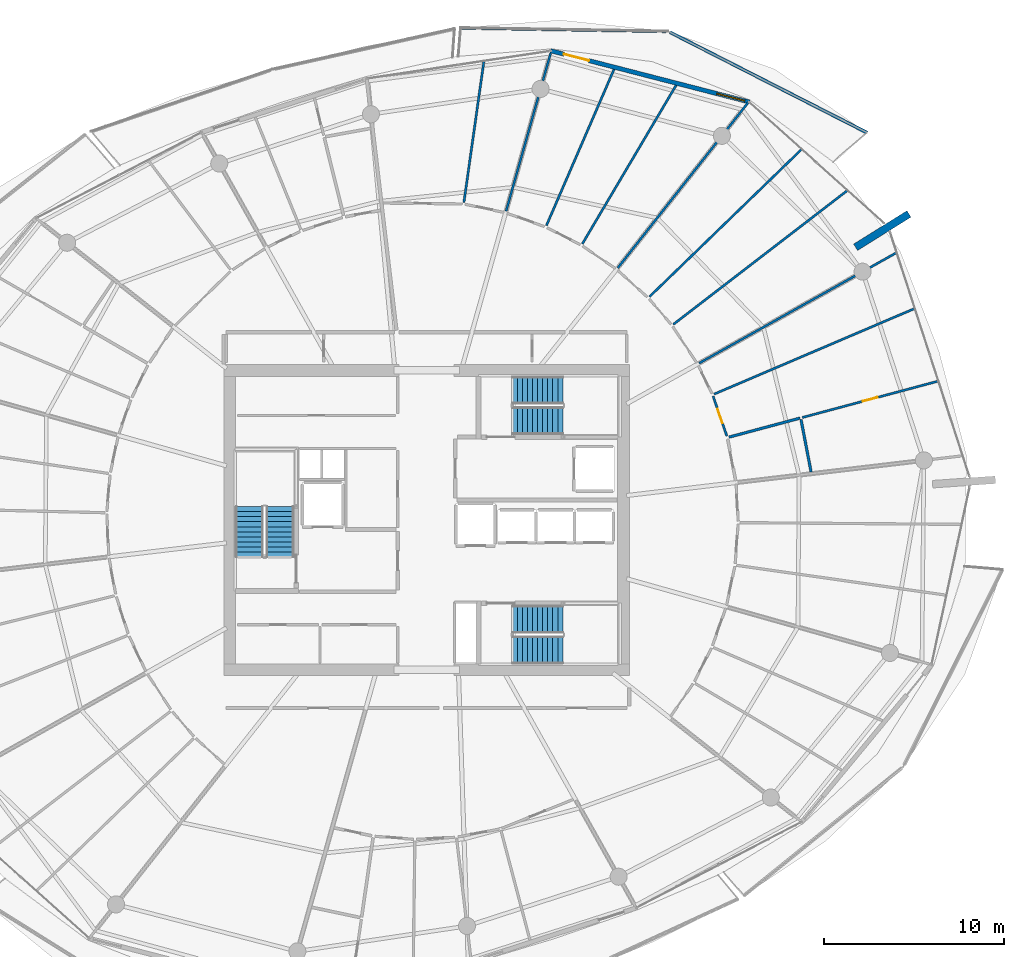
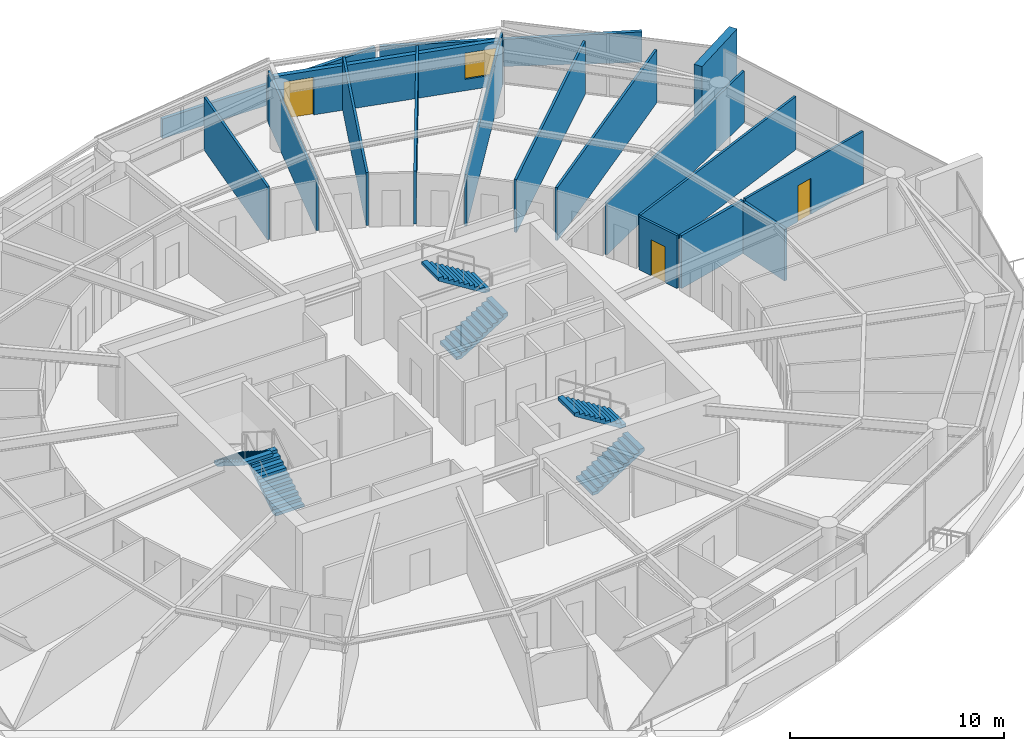
# One storey, part 23 of 30: 17 walls, 6 stair flights, 3 doors, 1 window, 4 openings, 3 elements without a shape of their own.
"""IFC4 building model written with IfcOpenShell, lengths in metres."""

from ifc_helpers import new_model, si_unit, direction, frame, frame_2d, origin, place, context, subcontext, project, spatial, polyline, rectangle, outline, extrude, material, layer, layer_set, type_object, element, fill, aggregate, save


model = new_model("IFC4")

# Units and contexts
model_context = context("Model", 3, precision=1e-05, world=origin(), true_north=direction((0.0, 1.0)))
body_context = subcontext(model_context, "Body", "Model", "MODEL_VIEW")
ifc_project = project(units=[si_unit("LENGTHUNIT", "METRE"), si_unit("AREAUNIT", "SQUARE_METRE"), si_unit("VOLUMEUNIT", "CUBIC_METRE"), si_unit("PLANEANGLEUNIT", "RADIAN"), si_unit("MASSUNIT", "GRAM", prefix="KILO")], contexts=[model_context])

# Site, building, storey
site_placement = place(None, origin())
site = spatial("IfcSite", under=ifc_project, at=site_placement, CompositionType="ELEMENT")
building_placement = place(site_placement, origin())
building = spatial("IfcBuilding", under=site, at=building_placement, Name="Kazma Halo Residences", CompositionType="ELEMENT")
storey_placement = place(building_placement, frame((0.0, 0.0, 267.5)))
storey = spatial("IfcBuildingStorey", under=building, at=storey_placement, Name="L67", CompositionType="ELEMENT", Elevation=267.5)

# Walls
ifc_material_1 = material(Name="White Concrete C50/60 Balustrade", Category="concrete")
ifc_layer_1 = layer(ifc_material_1, 0.179931640625)
ifc_layer_set_1 = layer_set([ifc_layer_1], Name="White Concrete C50/60 Balustrade")
wall_type_1 = type_object("IfcWallType", Name="WL-BAL-WAVE-180", PredefinedType="PARAPET", material=ifc_layer_set_1)
wall_1_placement = place(storey_placement, frame((72.91748046875, 63.546142578125, 0.0), z_axis=(0.0, 0.0, 1.0), x_axis=(-0.890886303028, 0.454226369861, 0.0)))
element("IfcWall", 1, at=wall_1_placement, inside=storey, type_object=wall_type_1, Name="L67 white wave balustrade wall NE.1", PredefinedType="PARAPET", context=body_context, shape_type="SweptSolid", body=[
    extrude(outline(polyline([(0.0, 0.0), (12.2998046875, 0.0), (12.2998046875, 1.347900390625), (6.14990234375, 1.56201171875), (0.0, 1.7470703125), (0.0, 0.0)])), frame((0.0, 0.08984375, 0.0), z_axis=(0.0, -1.0, 0.0), x_axis=(1.0, 0.0, 0.0)), (0.0, 0.0, 1.0), 0.179931640625),
])
wall_2_placement = place(storey_placement, frame((61.732666015625, 69.189453125, 0.0), z_axis=(0.0, 0.0, 1.0), x_axis=(-0.999862171908, 0.016602324761, 0.0)))
element("IfcWall", 2, at=wall_2_placement, inside=storey, type_object=wall_type_1, Name="L67 white wave balustrade wall NE.2", PredefinedType="PARAPET", context=body_context, shape_type="SweptSolid", body=[
    extrude(outline(polyline([(0.0, 0.0), (11.4111328125, 0.0), (11.4111328125, 1.1201171875), (5.70556640625, 1.181884765625), (0.0, 1.347900390625), (0.0, 0.0)])), frame((0.0, 0.08984375, 0.0), z_axis=(0.0, -1.0, 0.0), x_axis=(1.0, 0.0, 0.0)), (0.0, 0.0, 1.0), 0.179931640625),
])
ifc_material_2 = material(Name="Pale Concrete C60/75", Category="concrete")
ifc_layer_2 = layer(ifc_material_2, 0.419921875)
ifc_layer_set_2 = layer_set([ifc_layer_2], Name="Pale Concrete C60/75")
wall_type_2 = type_object("IfcWallType", Name="WL-BLADE-420", PredefinedType="SOLIDWALL", material=ifc_layer_set_2)
wall_3_placement = place(storey_placement, frame((72.281494140625, 57.172607421875, 0.0), z_axis=(0.0, 0.0, 1.0), x_axis=(0.848033572426, 0.529942506352, 0.0)))
element("IfcWall", 3, at=wall_3_placement, inside=storey, type_object=wall_type_2, Name="L67 pale concrete structural blade fin wall BW-01", PredefinedType="SOLIDWALL", context=body_context, shape_type="SweptSolid", body=[
    extrude(rectangle(XDim=3.5, YDim=0.419921875, at=frame_2d((1.75, 0.0))), origin(), (0.0, 0.0, 1.0), 3.85009765625),
])

# Wall, openings, door, window
ifc_material_3 = material(Name="Insulated Pale-Metal Composite Wall")
ifc_layer_3 = layer(ifc_material_3, 0.239990234375)
ifc_layer_set_3 = layer_set([ifc_layer_3], Name="Insulated Pale-Metal Composite Wall")
wall_type_3 = type_object("IfcWallType", Name="WL-EXT-HOST-240", PredefinedType="SOLIDWALL", material=ifc_layer_set_3)
wall_4_placement = place(storey_placement, frame((66.386474609375, 65.2490234375, 0.0), z_axis=(0.0, 0.0, 1.0), x_axis=(-0.968343758421, 0.249620442927, 0.0)))
wall_4 = element("IfcWall", 4, at=wall_4_placement, inside=storey, type_object=wall_type_3, Name="L67 exterior terrace-access wall B02", PredefinedType="SOLIDWALL", context=body_context, shape_type="SweptSolid", body=[
    extrude(rectangle(XDim=11.438232421875, YDim=0.239990234375, at=frame_2d((5.71923828125, 0.0))), origin(), (0.0, 0.0, 1.0), 2.5400390625),
])
opening_1_placement = place(wall_4_placement, frame((9.21826171875, 0.0, 0.0)))
opening_1 = element("IfcOpeningElement", 5, at=opening_1_placement, cuts=wall_4, Name="Opening DTR-1600", PredefinedType="OPENING", context=body_context, shape_type="SweptSolid", body=[
    extrude(rectangle(XDim=1.449951171875, YDim=2.14990234375, at=frame_2d((0.72509765625, 1.074951171875))), frame((0.0, 0.1298828125, 0.0), z_axis=(0.0, -1.0, 0.0), x_axis=(1.0, 0.0, 0.0)), (0.0, 0.0, 1.0), 0.260009765625),
])
opening_2_placement = place(wall_4_placement, frame((0.280029296875, 0.0, 0.64990234375)))
opening_2 = element("IfcOpeningElement", 6, at=opening_2_placement, cuts=wall_4, Name="Opening W-1800", PredefinedType="OPENING", context=body_context, shape_type="SweptSolid", body=[
    extrude(rectangle(XDim=1.60009765625, YDim=1.5, at=frame_2d((0.800048828125, 0.75))), frame((0.0, 0.1298828125, 0.0), z_axis=(0.0, -1.0, 0.0), x_axis=(1.0, 0.0, 0.0)), (0.0, 0.0, 1.0), 0.260009765625),
])
ifc_material_4 = material(Name="Aluminium AW-6063 T6 Double-Glazed Terrace Door", Category="aluminium")
door_type_1 = type_object("IfcDoorType", Name="DR-EXT-TERR-1600", OperationType="NOTDEFINED", PredefinedType="DOOR", material=ifc_material_4)
door_1_placement = place(opening_1_placement, origin())
door_1 = element("IfcDoor", 7, at=door_1_placement, inside=storey, type_object=door_type_1, Name="L67 B02 balcony terrace door", OperationType="DOUBLE_DOOR_SLIDING", OverallHeight=2.14990234375, OverallWidth=1.449951171875, PredefinedType="DOOR", context=body_context, shape_type="SweptSolid", body=[
    extrude(rectangle(XDim=1.449951171875, YDim=2.14990234375, at=frame_2d((0.72509765625, 1.074951171875))), frame((0.0, 0.02490234375, 0.0), z_axis=(0.0, -1.0, 0.0), x_axis=(1.0, 0.0, 0.0)), (0.0, 0.0, 1.0), 0.050048828125),
])
fill(opening_1, door_1)
ifc_material_5 = material(Name="Clear Triple-Silver Low-E Glass in Aluminium AW-6063 T6 Frame", Category="aluminium")
window_type = type_object("IfcWindowType", Name="WIN-RES-1800", PartitioningType="DOUBLE_PANEL_VERTICAL", PredefinedType="WINDOW", material=ifc_material_5)
window_placement = place(opening_2_placement, origin())
window = element("IfcWindow", 8, at=window_placement, inside=storey, type_object=window_type, Name="L67 B02 apartment window", OverallHeight=1.5, OverallWidth=1.60009765625, PartitioningType="SINGLE_PANEL", PredefinedType="WINDOW", context=body_context, shape_type="SweptSolid", body=[
    extrude(rectangle(XDim=1.60009765625, YDim=1.5, at=frame_2d((0.800048828125, 0.75))), frame((0.0, 0.030029296875, 0.0), z_axis=(0.0, -1.0, 0.0), x_axis=(1.0, 0.0, 0.0)), (0.0, 0.0, 1.0), 0.06005859375),
])
fill(opening_2, window)

# Wall, opening, door
ifc_material_6 = material(Name="Gypsum Plasterboard Partition")
ifc_layer_4 = layer(ifc_material_6, 0.125)
ifc_layer_set_4 = layer_set([ifc_layer_4], Name="Gypsum Plasterboard Partition")
wall_type_4 = type_object("IfcWallType", Name="WL-PART-125", PredefinedType="PARTITIONING", material=ifc_layer_set_4)
wall_5_placement = place(storey_placement, frame((69.31640625, 47.705810546875, 0.0), z_axis=(0.0, 0.0, 1.0), x_axis=(0.965994578585, 0.258562321587, 0.0)))
wall_5 = element("IfcWall", 9, at=wall_5_placement, inside=storey, type_object=wall_type_4, Name="L67 Apartment 2 Gulf Walk-In Wardrobe partition wall", PredefinedType="PARTITIONING", context=body_context, shape_type="SweptSolid", body=[
    extrude(rectangle(XDim=7.819091796875, YDim=0.125, at=frame_2d((3.90966796875, 0.0))), origin(), (0.0, 0.0, 1.0), 3.030029296875),
])
opening_3_placement = place(wall_5_placement, frame((3.484619140625, 0.0, 0.0)))
opening_3 = element("IfcOpeningElement", 10, at=opening_3_placement, cuts=wall_5, Name="Opening DB-900", PredefinedType="OPENING", context=body_context, shape_type="SweptSolid", body=[
    extrude(rectangle(XDim=0.85009765625, YDim=2.06005859375, at=frame_2d((0.425048828125, 1.030029296875))), frame((0.0, 0.072509765625, 0.0), z_axis=(0.0, -1.0, 0.0), x_axis=(1.0, 0.0, 0.0)), (0.0, 0.0, 1.0), 0.14501953125),
])
ifc_material_7 = material(Name="Moisture-Sealed Timber Leaf", Category="wood")
door_type_2 = type_object("IfcDoorType", Name="DR-BTH-900", OperationType="NOTDEFINED", PredefinedType="DOOR", material=ifc_material_7)
door_2_placement = place(opening_3_placement, origin())
door_2 = element("IfcDoor", 11, at=door_2_placement, inside=storey, type_object=door_type_2, Name="L67 Apartment 2 Gulf Walk-In Wardrobe door", OperationType="SINGLE_SWING_RIGHT", OverallHeight=2.06005859375, OverallWidth=0.85009765625, PredefinedType="DOOR", context=body_context, shape_type="SweptSolid", body=[
    extrude(rectangle(XDim=0.85009765625, YDim=2.06005859375, at=frame_2d((0.425048828125, 1.030029296875))), frame((0.0, 0.02490234375, 0.0), z_axis=(0.0, -1.0, 0.0), x_axis=(1.0, 0.0, 0.0)), (0.0, 0.0, 1.0), 0.050048828125),
])
fill(opening_3, door_2)

# Wall
wall_6_placement = place(storey_placement, frame((64.4140625, 49.006591796875, 0.0), z_axis=(0.0, 0.0, 1.0), x_axis=(0.919713089111, 0.392591178858, 0.0)))
element("IfcWall", 12, at=wall_6_placement, inside=storey, type_object=wall_type_4, Name="L67 Apartment 2 suite divider 15", PredefinedType="PARTITIONING", context=body_context, shape_type="SweptSolid", body=[
    extrude(rectangle(XDim=12.1171875, YDim=0.125, at=frame_2d((6.05859375, 0.0))), origin(), (0.0, 0.0, 1.0), 3.030029296875),
])

# Wall, opening, door
wall_7_placement = place(storey_placement, frame((65.123779296875, 46.676513671875, 0.0), z_axis=(0.0, 0.0, 1.0), x_axis=(-0.326410460833, 0.945228126464, 0.0)))
wall_7 = element("IfcWall", 13, at=wall_7_placement, inside=storey, type_object=wall_type_4, Name="L67 Apartment 2 Primary Formal Dining Room hall wall", PredefinedType="PARTITIONING", context=body_context, shape_type="SweptSolid", body=[
    extrude(rectangle(XDim=2.347900390625, YDim=0.125, at=frame_2d((1.173828125, 0.0))), origin(), (0.0, 0.0, 1.0), 3.030029296875),
])
opening_4_placement = place(wall_7_placement, frame((0.748779296875, 0.0, 0.0)))
opening_4 = element("IfcOpeningElement", 14, at=opening_4_placement, cuts=wall_7, Name="Opening DB-900", PredefinedType="OPENING", context=body_context, shape_type="SweptSolid", body=[
    extrude(rectangle(XDim=0.85009765625, YDim=2.06005859375, at=frame_2d((0.425048828125, 1.030029296875))), frame((0.0, 0.072509765625, 0.0), z_axis=(0.0, -1.0, 0.0), x_axis=(1.0, 0.0, 0.0)), (0.0, 0.0, 1.0), 0.14501953125),
])
door_3_placement = place(opening_4_placement, origin())
door_3 = element("IfcDoor", 15, at=door_3_placement, inside=storey, type_object=door_type_2, Name="L67 Apartment 2 Primary Formal Dining Room door", OperationType="SINGLE_SWING_LEFT", OverallHeight=2.06005859375, OverallWidth=0.85009765625, PredefinedType="DOOR", context=body_context, shape_type="SweptSolid", body=[
    extrude(rectangle(XDim=0.85009765625, YDim=2.06005859375, at=frame_2d((0.425048828125, 1.030029296875))), frame((0.0, 0.02490234375, 0.0), z_axis=(0.0, -1.0, 0.0), x_axis=(1.0, 0.0, 0.0)), (0.0, 0.0, 1.0), 0.050048828125),
])
fill(opening_4, door_3)

# Walls
wall_8_placement = place(storey_placement, frame((63.580078125, 50.725341796875, 0.0), z_axis=(0.0, 0.0, 1.0), x_axis=(0.872497075405, 0.488619333847, 0.0)))
element("IfcWall", 16, at=wall_8_placement, inside=storey, type_object=wall_type_4, Name="L67 Apartment 2 radial partition 0", PredefinedType="PARTITIONING", context=body_context, shape_type="SweptSolid", body=[
    extrude(rectangle(XDim=12.57275390625, YDim=0.125, at=frame_2d((6.286376953125, 0.0))), origin(), (0.0, 0.0, 1.0), 2.95703125),
])
wall_9_placement = place(storey_placement, frame((62.144775390625, 52.883056640625, 0.0), z_axis=(0.0, 0.0, 1.0), x_axis=(0.792559235325, 0.609794931514, 0.0)))
element("IfcWall", 17, at=wall_9_placement, inside=storey, type_object=wall_type_4, Name="L67 Apartment 2 bay wall 1 0", PredefinedType="PARTITIONING", context=body_context, shape_type="SweptSolid", body=[
    extrude(rectangle(XDim=12.19482421875, YDim=0.125, at=frame_2d((6.097412109375, 0.0))), origin(), (0.0, 0.0, 1.0), 3.030029296875),
])
wall_10_placement = place(storey_placement, frame((60.81640625, 54.419921875, 0.0), z_axis=(0.0, 0.0, 1.0), x_axis=(0.718125449467, 0.695913671965, 0.0)))
element("IfcWall", 18, at=wall_10_placement, inside=storey, type_object=wall_type_4, Name="L67 Apartment 2 bay wall 2 0", PredefinedType="PARTITIONING", context=body_context, shape_type="SweptSolid", body=[
    extrude(rectangle(XDim=11.760986328125, YDim=0.125, at=frame_2d((5.88037109375, 0.0))), origin(), (0.0, 0.0, 1.0), 3.030029296875),
])
wall_11_placement = place(storey_placement, frame((59.05517578125, 56.0234375, 0.0), z_axis=(0.0, 0.0, 1.0), x_axis=(0.619096573209, 0.785314862358, 0.0)))
element("IfcWall", 19, at=wall_11_placement, inside=storey, type_object=wall_type_4, Name="L67 Apartment 2 radial partition 1", PredefinedType="PARTITIONING", context=body_context, shape_type="SweptSolid", body=[
    extrude(rectangle(XDim=11.738525390625, YDim=0.125, at=frame_2d((5.869140625, 0.0))), origin(), (0.0, 0.0, 1.0), 2.95703125),
])
wall_12_placement = place(storey_placement, frame((57.084716796875, 57.36181640625, 0.0), z_axis=(0.0, 0.0, 1.0), x_axis=(0.509063310171, 0.860729078304, 0.0)))
element("IfcWall", 20, at=wall_12_placement, inside=storey, type_object=wall_type_4, Name="L67 Apartment 2 bay wall 1 1", PredefinedType="PARTITIONING", context=body_context, shape_type="SweptSolid", body=[
    extrude(rectangle(XDim=10.243408203125, YDim=0.125, at=frame_2d((5.12158203125, 0.0))), origin(), (0.0, 0.0, 1.0), 3.030029296875),
])
wall_13_placement = place(storey_placement, frame((55.087890625, 58.379150390625, 0.0), z_axis=(0.0, 0.0, 1.0), x_axis=(0.397148424815, 0.917754394523, 0.0)))
element("IfcWall", 21, at=wall_13_placement, inside=storey, type_object=wall_type_4, Name="L67 Apartment 2 bay wall 2 1", PredefinedType="PARTITIONING", context=body_context, shape_type="SweptSolid", body=[
    extrude(rectangle(XDim=9.46435546875, YDim=0.125, at=frame_2d((4.732177734375, 0.0))), origin(), (0.0, 0.0, 1.0), 3.030029296875),
])
wall_14_placement = place(storey_placement, frame((52.84716796875, 59.1865234375, 0.0), z_axis=(0.0, 0.0, 1.0), x_axis=(0.271434117828, 0.96245702225, 0.0)))
element("IfcWall", 22, at=wall_14_placement, inside=storey, type_object=wall_type_4, Name="L67 Apartment 2 radial partition 2", PredefinedType="PARTITIONING", context=body_context, shape_type="SweptSolid", body=[
    extrude(rectangle(XDim=9.127685546875, YDim=0.125, at=frame_2d((4.56396484375, 0.0))), origin(), (0.0, 0.0, 1.0), 2.95703125),
])
wall_15_placement = place(storey_placement, frame((50.500732421875, 59.6708984375, 0.0), z_axis=(0.0, 0.0, 1.0), x_axis=(0.140142335256, 0.990131367986, 0.0)))
element("IfcWall", 23, at=wall_15_placement, inside=storey, type_object=wall_type_4, Name="L67 Apartment 2 mid-bay wall 2", PredefinedType="PARTITIONING", context=body_context, shape_type="SweptSolid", body=[
    extrude(rectangle(XDim=7.910888671875, YDim=0.125, at=frame_2d((3.95556640625, 0.0))), origin(), (0.0, 0.0, 1.0), 3.030029296875),
])
ifc_material_8 = material(Name="Moisture-Resistant Gypsum")
ifc_layer_5 = layer(ifc_material_8, 0.14990234375)
ifc_layer_set_5 = layer_set([ifc_layer_5], Name="Moisture-Resistant Gypsum")
wall_type_5 = type_object("IfcWallType", Name="WL-WET-150", PredefinedType="PARTITIONING", material=ifc_layer_set_5)
wall_16_placement = place(storey_placement, frame((69.805908203125, 44.681396484375, 0.0), z_axis=(0.0, 0.0, 1.0), x_axis=(-0.188590920909, 0.982055733933, 0.0)))
element("IfcWall", 24, at=wall_16_placement, inside=storey, type_object=wall_type_5, Name="L67 Apartment 2 Sky En-Suite Bathroom back wall", PredefinedType="PARTITIONING", context=body_context, shape_type="SweptSolid", body=[
    extrude(rectangle(XDim=2.9658203125, YDim=0.14990234375, at=frame_2d((1.48291015625, 0.0))), origin(), (0.0, 0.0, 1.0), 2.95703125),
])
wall_17_placement = place(storey_placement, frame((65.239990234375, 46.61474609375, 0.0), z_axis=(0.0, 0.0, 1.0), x_axis=(0.9660037078, 0.258528212228, 0.0)))
element("IfcWall", 25, at=wall_17_placement, inside=storey, type_object=wall_type_5, Name="L67 Apartment 2 Sky En-Suite Bathroom side wall", PredefinedType="PARTITIONING", context=body_context, shape_type="SweptSolid", body=[
    extrude(rectangle(XDim=4.090087890625, YDim=0.14990234375, at=frame_2d((2.044921875, 0.0))), origin(), (0.0, 0.0, 1.0), 3.030029296875),
])

# Stair, stair flights
ifc_material_9 = material(Name="Concrete C50/60", Category="concrete")
stair_type = type_object("IfcStairType", Name="STR-RES2", PredefinedType="HALF_TURN_STAIR", material=ifc_material_9)
stair_1_placement = place(storey_placement, origin())
stair_1 = element("IfcStair", 26, at=stair_1_placement, inside=storey, type_object=stair_type, Name="L67 Core exit stair ST-01", PredefinedType="HALF_TURN_STAIR")
stair_flight_type = type_object("IfcStairFlightType", Name="STR-RES2-FLT", PredefinedType="STRAIGHT", material=ifc_material_9)
stair_flight_1_placement = place(storey_placement, frame((40.27490234375, 39.949951171875, 0.0), z_axis=(0.0, 0.0, 1.0), x_axis=(0.0, 1.0, 0.0)))
stair_flight_1 = element("IfcStairFlight", 27, at=stair_flight_1_placement, type_object=stair_flight_type, Name="ST-01 flight 1", NumberOfRisers=11, NumberOfTreads=10, PredefinedType="STRAIGHT", RiserHeight=0.175, TreadLength=0.28, context=body_context, shape_type="SweptSolid", body=[
    extrude(outline(polyline([(0.0, 0.0), (0.0, 0.175048828125), (0.280029296875, 0.175048828125), (0.280029296875, 0.35009765625), (0.56005859375, 0.35009765625), (0.56005859375, 0.52490234375), (0.840087890625, 0.52490234375), (0.840087890625, 0.699951171875), (1.1201171875, 0.699951171875), (1.1201171875, 0.875), (1.39990234375, 0.875), (1.39990234375, 1.050048828125), (1.679931640625, 1.050048828125), (1.679931640625, 1.22509765625), (1.9599609375, 1.22509765625), (1.9599609375, 1.39990234375), (2.239990234375, 1.39990234375), (2.239990234375, 1.574951171875), (2.52001953125, 1.574951171875), (2.52001953125, 1.75), (2.800048828125, 1.75), (2.800048828125, 1.925048828125), (2.800048828125, 1.5732421875), (0.28271484375, 0.0), (0.0, 0.0)])), frame((0.0, 0.77490234375, 0.0), z_axis=(0.0, -1.0, 0.0), x_axis=(1.0, 0.0, 0.0)), (0.0, 0.0, 1.0), 1.550048828125),
])
stair_flight_2_placement = place(storey_placement, frame((38.574951171875, 42.75, 1.925048828125), z_axis=(0.0, 0.0, 1.0), x_axis=(0.0, -1.0, 0.0)))
stair_flight_2 = element("IfcStairFlight", 28, at=stair_flight_2_placement, type_object=stair_flight_type, Name="ST-01 flight 2", NumberOfRisers=11, NumberOfTreads=10, PredefinedType="STRAIGHT", RiserHeight=0.175, TreadLength=0.28, context=body_context, shape_type="SweptSolid", body=[
    extrude(outline(polyline([(0.0, 0.0), (0.0, 0.175048828125), (0.280029296875, 0.175048828125), (0.280029296875, 0.35009765625), (0.56005859375, 0.35009765625), (0.56005859375, 0.52490234375), (0.840087890625, 0.52490234375), (0.840087890625, 0.699951171875), (1.1201171875, 0.699951171875), (1.1201171875, 0.875), (1.39990234375, 0.875), (1.39990234375, 1.050048828125), (1.679931640625, 1.050048828125), (1.679931640625, 1.22509765625), (1.9599609375, 1.22509765625), (1.9599609375, 1.39990234375), (2.239990234375, 1.39990234375), (2.239990234375, 1.574951171875), (2.52001953125, 1.574951171875), (2.52001953125, 1.75), (2.800048828125, 1.75), (2.800048828125, 1.925048828125), (2.800048828125, 1.5732421875), (0.28271484375, 0.0), (0.0, 0.0)])), frame((0.0, 0.77490234375, 0.0), z_axis=(0.0, -1.0, 0.0), x_axis=(1.0, 0.0, 0.0)), (0.0, 0.0, 1.0), 1.550048828125),
])
aggregate(stair_1, [stair_flight_1, stair_flight_2])

stair_2_placement = place(storey_placement, origin())
stair_2 = element("IfcStair", 29, at=stair_2_placement, inside=storey, type_object=stair_type, Name="L67 Core exit stair ST-02", PredefinedType="HALF_TURN_STAIR")
stair_flight_3_placement = place(storey_placement, frame((53.199951171875, 47.52490234375, 0.0), z_axis=(0.0, 0.0, 1.0), x_axis=(1.0, 0.0, 0.0)))
stair_flight_3 = element("IfcStairFlight", 30, at=stair_flight_3_placement, type_object=stair_flight_type, Name="ST-02 flight 1", NumberOfRisers=11, NumberOfTreads=10, PredefinedType="STRAIGHT", RiserHeight=0.175, TreadLength=0.28, context=body_context, shape_type="SweptSolid", body=[
    extrude(outline(polyline([(0.0, 0.0), (0.0, 0.175048828125), (0.280029296875, 0.175048828125), (0.280029296875, 0.35009765625), (0.56005859375, 0.35009765625), (0.56005859375, 0.52490234375), (0.840087890625, 0.52490234375), (0.840087890625, 0.699951171875), (1.1201171875, 0.699951171875), (1.1201171875, 0.875), (1.39990234375, 0.875), (1.39990234375, 1.050048828125), (1.679931640625, 1.050048828125), (1.679931640625, 1.22509765625), (1.9599609375, 1.22509765625), (1.9599609375, 1.39990234375), (2.239990234375, 1.39990234375), (2.239990234375, 1.574951171875), (2.52001953125, 1.574951171875), (2.52001953125, 1.75), (2.800048828125, 1.75), (2.800048828125, 1.925048828125), (2.800048828125, 1.5732421875), (0.28271484375, 0.0), (0.0, 0.0)])), frame((0.0, 0.77490234375, 0.0), z_axis=(0.0, -1.0, 0.0), x_axis=(1.0, 0.0, 0.0)), (0.0, 0.0, 1.0), 1.550048828125),
])
stair_flight_4_placement = place(storey_placement, frame((56.0, 49.22509765625, 1.925048828125), z_axis=(0.0, 0.0, 1.0), x_axis=(-1.0, 0.0, 0.0)))
stair_flight_4 = element("IfcStairFlight", 31, at=stair_flight_4_placement, type_object=stair_flight_type, Name="ST-02 flight 2", NumberOfRisers=11, NumberOfTreads=10, PredefinedType="STRAIGHT", RiserHeight=0.175, TreadLength=0.28, context=body_context, shape_type="SweptSolid", body=[
    extrude(outline(polyline([(0.0, 0.0), (0.0, 0.175048828125), (0.280029296875, 0.175048828125), (0.280029296875, 0.35009765625), (0.56005859375, 0.35009765625), (0.56005859375, 0.52490234375), (0.840087890625, 0.52490234375), (0.840087890625, 0.699951171875), (1.1201171875, 0.699951171875), (1.1201171875, 0.875), (1.39990234375, 0.875), (1.39990234375, 1.050048828125), (1.679931640625, 1.050048828125), (1.679931640625, 1.22509765625), (1.9599609375, 1.22509765625), (1.9599609375, 1.39990234375), (2.239990234375, 1.39990234375), (2.239990234375, 1.574951171875), (2.52001953125, 1.574951171875), (2.52001953125, 1.75), (2.800048828125, 1.75), (2.800048828125, 1.925048828125), (2.800048828125, 1.5732421875), (0.28271484375, 0.0), (0.0, 0.0)])), frame((0.0, 0.77490234375, 0.0), z_axis=(0.0, -1.0, 0.0), x_axis=(1.0, 0.0, 0.0)), (0.0, 0.0, 1.0), 1.550048828125),
])
aggregate(stair_2, [stair_flight_3, stair_flight_4])

stair_3_placement = place(storey_placement, origin())
stair_3 = element("IfcStair", 32, at=stair_3_placement, inside=storey, type_object=stair_type, Name="L67 Core exit stair ST-03", PredefinedType="HALF_TURN_STAIR")
stair_flight_5_placement = place(storey_placement, frame((53.199951171875, 34.77490234375, 0.0), z_axis=(0.0, 0.0, 1.0), x_axis=(1.0, 0.0, 0.0)))
stair_flight_5 = element("IfcStairFlight", 33, at=stair_flight_5_placement, type_object=stair_flight_type, Name="ST-03 flight 1", NumberOfRisers=11, NumberOfTreads=10, PredefinedType="STRAIGHT", RiserHeight=0.175, TreadLength=0.28, context=body_context, shape_type="SweptSolid", body=[
    extrude(outline(polyline([(0.0, 0.0), (0.0, 0.175048828125), (0.280029296875, 0.175048828125), (0.280029296875, 0.35009765625), (0.56005859375, 0.35009765625), (0.56005859375, 0.52490234375), (0.840087890625, 0.52490234375), (0.840087890625, 0.699951171875), (1.1201171875, 0.699951171875), (1.1201171875, 0.875), (1.39990234375, 0.875), (1.39990234375, 1.050048828125), (1.679931640625, 1.050048828125), (1.679931640625, 1.22509765625), (1.9599609375, 1.22509765625), (1.9599609375, 1.39990234375), (2.239990234375, 1.39990234375), (2.239990234375, 1.574951171875), (2.52001953125, 1.574951171875), (2.52001953125, 1.75), (2.800048828125, 1.75), (2.800048828125, 1.925048828125), (2.800048828125, 1.5732421875), (0.28271484375, 0.0), (0.0, 0.0)])), frame((0.0, 0.77490234375, 0.0), z_axis=(0.0, -1.0, 0.0), x_axis=(1.0, 0.0, 0.0)), (0.0, 0.0, 1.0), 1.550048828125),
])
stair_flight_6_placement = place(storey_placement, frame((56.0, 36.47509765625, 1.925048828125), z_axis=(0.0, 0.0, 1.0), x_axis=(-1.0, 0.0, 0.0)))
stair_flight_6 = element("IfcStairFlight", 34, at=stair_flight_6_placement, type_object=stair_flight_type, Name="ST-03 flight 2", NumberOfRisers=11, NumberOfTreads=10, PredefinedType="STRAIGHT", RiserHeight=0.175, TreadLength=0.28, context=body_context, shape_type="SweptSolid", body=[
    extrude(outline(polyline([(0.0, 0.0), (0.0, 0.175048828125), (0.280029296875, 0.175048828125), (0.280029296875, 0.35009765625), (0.56005859375, 0.35009765625), (0.56005859375, 0.52490234375), (0.840087890625, 0.52490234375), (0.840087890625, 0.699951171875), (1.1201171875, 0.699951171875), (1.1201171875, 0.875), (1.39990234375, 0.875), (1.39990234375, 1.050048828125), (1.679931640625, 1.050048828125), (1.679931640625, 1.22509765625), (1.9599609375, 1.22509765625), (1.9599609375, 1.39990234375), (2.239990234375, 1.39990234375), (2.239990234375, 1.574951171875), (2.52001953125, 1.574951171875), (2.52001953125, 1.75), (2.800048828125, 1.75), (2.800048828125, 1.925048828125), (2.800048828125, 1.5732421875), (0.28271484375, 0.0), (0.0, 0.0)])), frame((0.0, 0.77490234375, 0.0), z_axis=(0.0, -1.0, 0.0), x_axis=(1.0, 0.0, 0.0)), (0.0, 0.0, 1.0), 1.550048828125),
])
aggregate(stair_3, [stair_flight_5, stair_flight_6])

save(model, "model.ifc")
